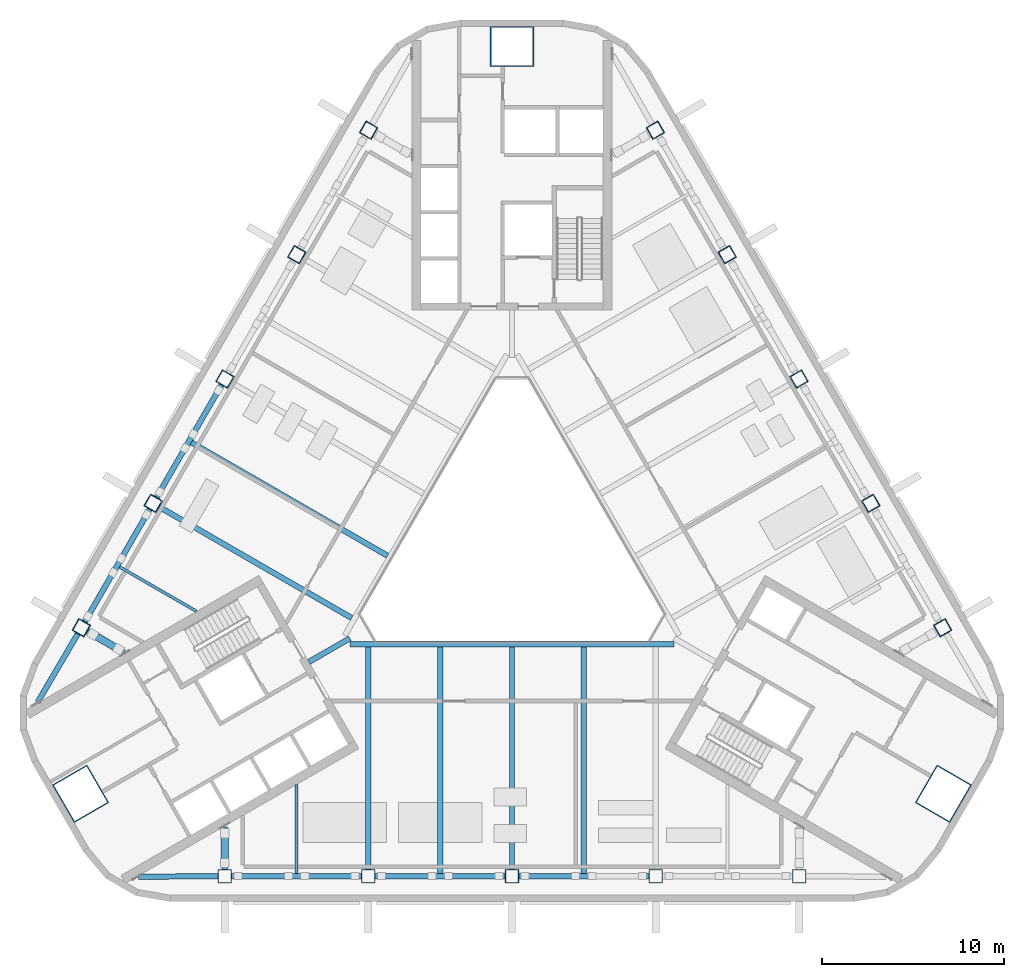
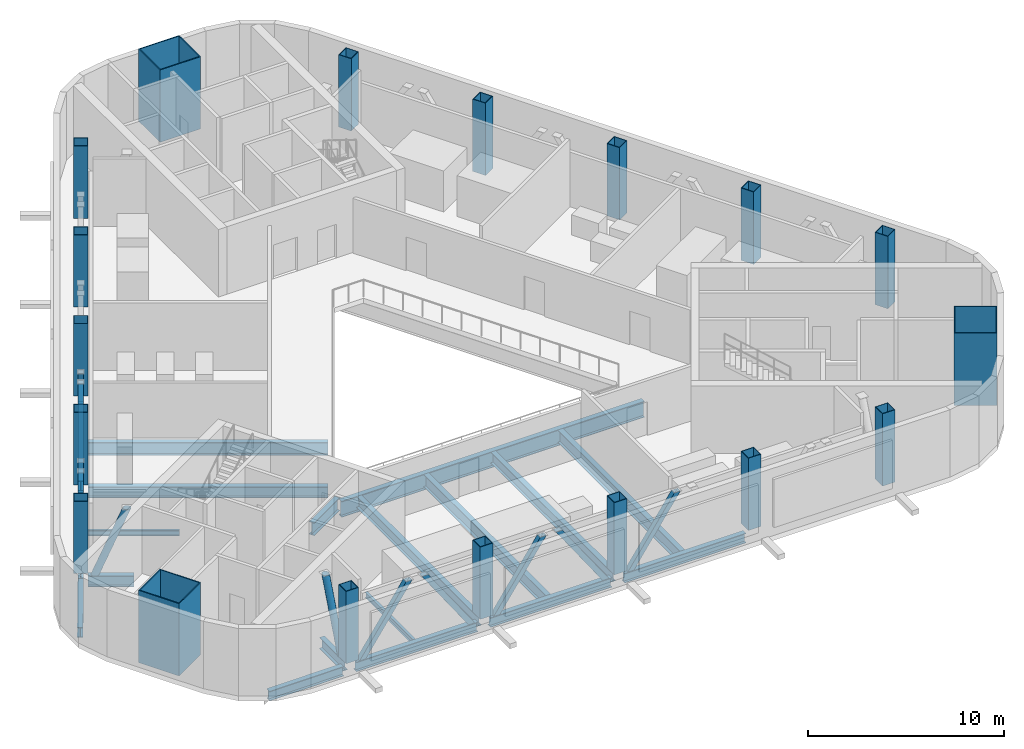
# One storey, part 1 of 15: 20 members, 18 columns, 10 beams.
"""IFC4 building model written with IfcOpenShell, lengths in metres."""

import ifcopenshell
import ifcopenshell.guid

model = None  # the IFC model being written
_history = None  # IfcOwnerHistory: only IFC2X3 demands one
_inside = {}  # id of a spatial element -> (the spatial element, [elements in it])
_under = {}  # id of a project, library or spatial element -> (it, [spatial elements below it])
_declared = {}  # id of a project -> (the project, [libraries it declares])
_typed = {}  # id of a type object -> (the type object, [elements of that type])
_made_of = {}  # id of a material, layer set ... -> (it, [elements and type objects made of it])


def new_model(schema):
    """Start an empty IFC model of exactly this schema.

    Asked for "IFC4X3", IfcOpenShell would pick the latest addendum, in which some entities
    have other attributes; the version numbers below select the first issue.
    IFC2X3 requires an IfcOwnerHistory on every rooted entity: one is made here for all.
    """
    global model, _history
    if schema == "IFC4X3":
        model = ifcopenshell.file(schema_version=(4, 3, 0, 0))
    else:
        model = ifcopenshell.file(schema=schema)
    _inside.clear()
    _under.clear()
    _declared.clear()
    _typed.clear()
    _made_of.clear()
    _history = None
    if model.schema == "IFC2X3":
        org = make("IfcOrganization", Name="unknown")
        user = make(
            "IfcPersonAndOrganization",
            ThePerson=make("IfcPerson", FamilyName="unknown"),
            TheOrganization=org,
        )
        app = make(
            "IfcApplication",
            ApplicationDeveloper=org,
            Version="unknown",
            ApplicationFullName="unknown",
            ApplicationIdentifier="unknown",
        )
        _history = make(
            "IfcOwnerHistory",
            OwningUser=user,
            OwningApplication=app,
            ChangeAction="ADDED",
            CreationDate=0,
        )
    return model


def make(cls, **values):
    """One entity of the class cls with the attributes given. An attribute that is None is left unset."""
    return model.create_entity(
        cls, **{name: value for name, value in values.items() if value is not None}
    )


def rooted(cls, **values):
    """An entity with a GlobalId (a new one), such as an element, a storey or a relation."""
    return make(cls, GlobalId=ifcopenshell.guid.new(), OwnerHistory=_history, **values)


def si_unit(unit_type, name, prefix=None):
    """IfcSIUnit, for example si_unit("LENGTHUNIT", "METRE", prefix="MILLI")."""
    return make("IfcSIUnit", UnitType=unit_type, Prefix=prefix, Name=name)


def assignment(units):
    """IfcUnitAssignment: the units of a project."""
    return None if units is None else make("IfcUnitAssignment", Units=units)


def point(xyz):
    """IfcCartesianPoint."""
    return None if xyz is None else make("IfcCartesianPoint", Coordinates=xyz)


def direction(xyz):
    """IfcDirection."""
    return None if xyz is None else make("IfcDirection", DirectionRatios=xyz)


def frame(location, z_axis=None, x_axis=None):
    """IfcAxis2Placement3D, a coordinate frame: its origin and axes. An axis left out is left unset."""
    return make(
        "IfcAxis2Placement3D",
        Location=point(location),
        Axis=direction(z_axis),
        RefDirection=direction(x_axis),
    )


def frame_2d(location, x_axis=None):
    """IfcAxis2Placement2D, a coordinate frame in the plane: its origin and x axis."""
    return make(
        "IfcAxis2Placement2D", Location=point(location), RefDirection=direction(x_axis)
    )


def origin():
    """The frame at (0, 0, 0) with its axes left unset."""
    return frame((0.0, 0.0, 0.0))


def origin_2d():
    """The frame at (0, 0) in the plane with its x axis left unset."""
    return frame_2d((0.0, 0.0))


def place(relative_to, where):
    """IfcLocalPlacement: puts the frame where relative to a parent placement (None: the world)."""
    return make(
        "IfcLocalPlacement", PlacementRelTo=relative_to, RelativePlacement=where
    )


def context(
    kind, dimensions, precision=None, world=None, true_north=None, identifier=None
):
    """IfcGeometricRepresentationContext, for example the 3D "Model" context."""
    return make(
        "IfcGeometricRepresentationContext",
        ContextIdentifier=identifier,
        ContextType=kind,
        CoordinateSpaceDimension=dimensions,
        Precision=precision,
        WorldCoordinateSystem=world,
        TrueNorth=true_north,
    )


def subcontext(parent, identifier, kind, view, scale=None):
    """IfcGeometricRepresentationSubContext, for example "Body" below "Model"."""
    return make(
        "IfcGeometricRepresentationSubContext",
        ContextIdentifier=identifier,
        ContextType=kind,
        ParentContext=parent,
        TargetScale=scale,
        TargetView=view,
    )


def project(units=None, contexts=None):
    """IfcProject with its units and contexts."""
    return rooted(
        "IfcProject",
        Name="project",
        RepresentationContexts=contexts,
        UnitsInContext=assignment(units),
    )


def spatial(cls, under=None, at=None, **own):
    """A site, building, storey or space (cls), placed at a placement, below another one or the project."""
    s = rooted(cls, ObjectPlacement=at, **own)
    if under is not None:
        _under.setdefault(under.id(), (under, []))[1].append(s)
    return s


def profile(cls, at=None, kind="AREA", **sizes):
    """A parametric profile (cls). Its sizes go by their IFC names, for example OverallWidth=200.0."""
    return make(cls, ProfileType=kind, Position=at, **sizes)


def rectangle(**sizes):
    """IfcRectangleProfileDef."""
    return profile("IfcRectangleProfileDef", **sizes)


def hollow_rectangle(**sizes):
    """IfcRectangleHollowProfileDef."""
    return profile("IfcRectangleHollowProfileDef", **sizes)


def hollow_circle(**sizes):
    """IfcCircleHollowProfileDef."""
    return profile("IfcCircleHollowProfileDef", **sizes)


def i_section(**sizes):
    """IfcIShapeProfileDef."""
    return profile("IfcIShapeProfileDef", **sizes)


def extrude(swept, where, along, depth):
    """IfcExtrudedAreaSolid: the profile swept, set in the frame where, extruded along a direction by depth."""
    return make(
        "IfcExtrudedAreaSolid",
        SweptArea=swept,
        Position=where,
        ExtrudedDirection=direction(along),
        Depth=depth,
    )


def boolean(op, a, b):
    """IfcBooleanResult of two solids."""
    return make("IfcBooleanResult", Operator=op, FirstOperand=a, SecondOperand=b)


def halfspace(plane, agree):
    """IfcHalfSpaceSolid: all space on one side of the plane z = 0 of the frame plane."""
    return make(
        "IfcHalfSpaceSolid",
        BaseSurface=make("IfcPlane", Position=plane),
        AgreementFlag=agree,
    )


def shape(context_of_items, identifier, shape_type, items):
    """IfcShapeRepresentation: the items that make up one representation, for example the "Body"."""
    return make(
        "IfcShapeRepresentation",
        ContextOfItems=context_of_items,
        RepresentationIdentifier=identifier,
        RepresentationType=shape_type,
        Items=items,
    )


def material(Name=None, Category=None):
    """IfcMaterial."""
    return make("IfcMaterial", Name=Name, Category=Category)


def material_profile(
    of_material, cross_section, Name=None, Category=None, Priority=None
):
    """IfcMaterialProfile: a cross section and its material."""
    return make(
        "IfcMaterialProfile",
        Name=Name,
        Material=of_material,
        Profile=cross_section,
        Priority=Priority,
        Category=Category,
    )


def profile_set(profiles, Name=None, composite=None):
    """IfcMaterialProfileSet."""
    return make(
        "IfcMaterialProfileSet",
        Name=Name,
        MaterialProfiles=profiles,
        CompositeProfile=composite,
    )


def made_of(thing, what):
    """Note that an element or type object is made of a material, layer set ...; save() writes the relation."""
    if what is not None:
        _made_of.setdefault(what.id(), (what, []))[1].append(thing)
    return thing


def type_object(cls, material=None, **own):
    """A type object (cls), such as IfcWallType, which elements share."""
    return made_of(rooted(cls, **own), material)


def element(
    cls,
    number,
    at=None,
    inside=None,
    cuts=None,
    type_object=None,
    material=None,
    context=None,
    identifier="Body",
    shape_type=None,
    held_by="IfcProductDefinitionShape",
    body=None,
    shapes=None,
    **own,
):
    """One element of the class cls, such as IfcWall. Its Tag is "e" and its number.

    at: its placement. inside: the storey or other place that contains it. cuts: it is an
    opening in that element (IfcRelVoidsElement). A single representation is given by context,
    identifier, shape_type and body (its items); several are given by shapes. held_by: the class
    of the entity that holds the representations. save() writes the other relations.
    """
    e = rooted(cls, Tag="e%d" % number, ObjectPlacement=at, **own)
    if body is not None:
        shapes = [shape(context, identifier, shape_type, body)]
    if shapes is not None:
        e.Representation = make(held_by, Representations=shapes)
    if inside is not None:
        _inside.setdefault(inside.id(), (inside, []))[1].append(e)
    if cuts is not None:
        rooted(
            "IfcRelVoidsElement", RelatingBuildingElement=cuts, RelatedOpeningElement=e
        )
    if type_object is not None:
        _typed.setdefault(type_object.id(), (type_object, []))[1].append(e)
    return made_of(e, material)


def aggregate(whole, parts):
    """IfcRelAggregates: a whole, such as a stair, and the parts it consists of."""
    return rooted("IfcRelAggregates", RelatingObject=whole, RelatedObjects=parts)


def save(model, path):
    """Write the relations noted so far, then the file.

    IfcRelAggregates (storeys below a building ...), IfcRelContainedInSpatialStructure (elements
    in a storey), IfcRelDefinesByType, IfcRelAssociatesMaterial and IfcRelDeclares: one each for
    every whole, place, type object, material and project.
    """
    for whole, parts in _under.values():
        aggregate(whole, parts)
    for where, things in _inside.values():
        rooted(
            "IfcRelContainedInSpatialStructure",
            RelatedElements=things,
            RelatingStructure=where,
        )
    for kind, things in _typed.values():
        rooted("IfcRelDefinesByType", RelatedObjects=things, RelatingType=kind)
    for what, things in _made_of.values():
        rooted("IfcRelAssociatesMaterial", RelatedObjects=things, RelatingMaterial=what)
    for by, libraries in _declared.values():
        rooted("IfcRelDeclares", RelatingContext=by, RelatedDefinitions=libraries)
    model.write(path)


model = new_model("IFC4")

# Units and contexts
model_context = context("Model", 3, precision=1e-05, world=origin(), true_north=direction((0.0, 1.0)))
body_context = subcontext(model_context, "Body", "Model", "MODEL_VIEW")
ifc_project = project(units=[si_unit("LENGTHUNIT", "METRE"), si_unit("AREAUNIT", "SQUARE_METRE"), si_unit("VOLUMEUNIT", "CUBIC_METRE"), si_unit("PLANEANGLEUNIT", "RADIAN"), si_unit("MASSUNIT", "GRAM", prefix="KILO")], contexts=[model_context])

# Site, building, storey
site_placement = place(None, origin())
site = spatial("IfcSite", under=ifc_project, at=site_placement, CompositionType="ELEMENT")
building_placement = place(site_placement, origin())
building = spatial("IfcBuilding", under=site, at=building_placement, Name="Apuvela Tower Hotel", CompositionType="ELEMENT")
storey_placement = place(building_placement, frame((0.0, 0.0, 237.699951171875)))
storey = spatial("IfcBuildingStorey", under=building, at=storey_placement, Name="L58 Plant", CompositionType="ELEMENT", Elevation=237.699951171875)

# Columns
ifc_material_1 = material(Name="Steel S460", Category="steel")
ifc_material_profile_1 = material_profile(ifc_material_1, hollow_rectangle(XDim=2.39990234375, YDim=2.199951171875, WallThickness=0.06005859375, at=origin_2d()), Name="BOX 2400x2200x60")
ifc_material_2 = material(Name="Concrete C80/95", Category="concrete")
ifc_material_profile_2 = material_profile(ifc_material_2, rectangle(XDim=2.280029296875, YDim=2.080078125, at=origin_2d()), Name="Concrete C80/95 infill")
ifc_profile_set_1 = profile_set([ifc_material_profile_1, ifc_material_profile_2], Name="Steel S460")
column_type_1 = type_object("IfcColumnType", Name="STR-MC mega column BOX 2400x2200x60", PredefinedType="COLUMN", material=ifc_profile_set_1)
for number, where, z_axis, x_axis, name in (
    (1, (0.0, 27.39990234375, 0.0), (0.0, 0.0, 1.0), (1.0, 0.0, 0.0), "Mega column MC3 N"),
    (2, (-23.72900390625, -13.699951171875, 0.0), (0.0, 0.0, 1.0), (-0.5, 0.866025403784, 0.0), "Mega column MC3 SW"),
    (3, (23.72900390625, -13.699951171875, 0.0), (0.0, 0.0, 1.0), (0.5, 0.866025403784, 0.0), "Mega column MC3 SE"),
):
    element("IfcColumn", number, at=place(storey_placement, frame(where, z_axis=z_axis, x_axis=x_axis)), inside=storey, type_object=column_type_1, Name=name, PredefinedType="COLUMN", context=body_context, shape_type="SweptSolid", body=[
        extrude(hollow_rectangle(XDim=2.39990234375, YDim=2.199951171875, WallThickness=0.06005859375, at=origin_2d()), origin(), (0.0, 0.0, 1.0), 4.5),
    ])
ifc_material_profile_3 = material_profile(ifc_material_1, hollow_rectangle(XDim=0.75, YDim=0.75, WallThickness=0.034912109375, at=origin_2d()), Name="BOX 750x750x35")
ifc_material_profile_4 = material_profile(ifc_material_2, rectangle(XDim=0.679931640625, YDim=0.679931640625, at=origin_2d()), Name="Concrete C80/95 infill")
ifc_profile_set_2 = profile_set([ifc_material_profile_3, ifc_material_profile_4], Name="Steel S460")
column_type_2 = type_object("IfcColumnType", Name="STR-PC perimeter column BOX 750x750x35", PredefinedType="COLUMN", material=ifc_profile_set_2)
for number, where, z_axis, x_axis, name in (
    (4, (-15.800048828125, -18.22998046875, 0.0), (0.0, 0.0, 1.0), (-1.0, 0.0, 0.0), "Perimeter column C5 S1"),
    (5, (-7.89990234375, -18.22998046875, 0.0), (0.0, 0.0, 1.0), (-1.0, 0.0, 0.0), "Perimeter column C5 S2"),
    (6, (0.0, -18.22998046875, 0.0), (0.0, 0.0, 1.0), (-1.0, 0.0, 0.0), "Perimeter column C5 S3"),
    (7, (7.89990234375, -18.22998046875, 0.0), (0.0, 0.0, 1.0), (-1.0, 0.0, 0.0), "Perimeter column C5 S4"),
    (8, (15.800048828125, -18.22998046875, 0.0), (0.0, 0.0, 1.0), (-1.0, 0.0, 0.0), "Perimeter column C5 S5"),
    (9, (23.6875, -4.568115234375, 0.0), (0.0, 0.0, 1.0), (-0.5, 0.866025403784, 0.0), "Perimeter column C5 NE1"),
    (10, (19.737548828125, 2.2734375, 0.0), (0.0, 0.0, 1.0), (-0.5, 0.866025403784, 0.0), "Perimeter column C5 NE2"),
    (11, (15.78759765625, 9.114990234375, 0.0), (0.0, 0.0, 1.0), (-0.5, 0.866025403784, 0.0), "Perimeter column C5 NE3"),
    (12, (11.837646484375, 15.95654296875, 0.0), (0.0, 0.0, 1.0), (-0.5, 0.866025403784, 0.0), "Perimeter column C5 NE4"),
    (13, (7.8876953125, 22.798095703125, 0.0), (0.0, 0.0, 1.0), (-0.5, 0.866025403784, 0.0), "Perimeter column C5 NE5"),
    (14, (-7.8876953125, 22.798095703125, 0.0), (0.0, 0.0, 1.0), (0.5, 0.866025403784, 0.0), "Perimeter column C5 NW1"),
    (15, (-11.837646484375, 15.95654296875, 0.0), (0.0, 0.0, 1.0), (0.5, 0.866025403784, 0.0), "Perimeter column C5 NW2"),
    (16, (-15.78759765625, 9.114990234375, 0.0), (0.0, 0.0, 1.0), (0.5, 0.866025403784, 0.0), "Perimeter column C5 NW3"),
    (17, (-19.737548828125, 2.2734375, 0.0), (0.0, 0.0, 1.0), (0.5, 0.866025403784, 0.0), "Perimeter column C5 NW4"),
    (18, (-23.6875, -4.568115234375, 0.0), (0.0, 0.0, 1.0), (0.5, 0.866025403784, 0.0), "Perimeter column C5 NW5"),
):
    element("IfcColumn", number, at=place(storey_placement, frame(where, z_axis=z_axis, x_axis=x_axis)), inside=storey, type_object=column_type_2, Name=name, PredefinedType="COLUMN", context=body_context, shape_type="SweptSolid", body=[
        extrude(hollow_rectangle(XDim=0.75, YDim=0.75, WallThickness=0.034912109375, at=origin_2d()), origin(), (0.0, 0.0, 1.0), 4.5),
    ])

# Beams
ifc_material_3 = material(Name="Steel S355", Category="steel")
ifc_material_profile_5 = material_profile(ifc_material_3, i_section(OverallWidth=0.300048828125, OverallDepth=0.68994140625, WebThickness=0.014404296875, FlangeThickness=0.027099609375, at=origin_2d()), Name="HE 700 A")
ifc_profile_set_3 = profile_set([ifc_material_profile_5], Name="Steel S355")
beam_type_1 = type_object("IfcBeamType", Name="STR-B floor beam HE 700 A", PredefinedType="BEAM", material=ifc_profile_set_3)
for number, where, z_axis, x_axis, name in (
    (19, (-19.412841796875, 2.0859375, -0.64501953125), (0.866025418325, -0.499999974815, 0.0), (0.499999974815, 0.866025418325, 0.0), "Floor beam B6 NW7"),
    (20, (-7.89990234375, -17.85498046875, -0.64501953125), (0.0, 1.0, 0.0), (-1.0, 0.0, 0.0), "Floor beam B6 S3"),
    (21, (0.0, -17.85498046875, -0.64501953125), (0.0, 1.0, 0.0), (-1.0, 0.0, 0.0), "Floor beam B6 S5"),
):
    element("IfcBeam", number, at=place(storey_placement, frame(where, z_axis=z_axis, x_axis=x_axis)), inside=storey, type_object=beam_type_1, Name=name, PredefinedType="BEAM", context=body_context, shape_type="SweptSolid", body=[
        extrude(i_section(OverallWidth=0.300048828125, OverallDepth=0.68994140625, WebThickness=0.014404296875, FlangeThickness=0.027099609375, at=origin_2d()), origin(), (0.0, 0.0, 1.0), 12.23486328125),
    ])
ifc_material_profile_6 = material_profile(ifc_material_3, i_section(OverallWidth=0.300048828125, OverallDepth=0.7900390625, WebThickness=0.014892578125, FlangeThickness=0.028076171875, at=origin_2d()), Name="HE 800 A")
ifc_profile_set_4 = profile_set([ifc_material_profile_6], Name="Steel S355")
beam_type_2 = type_object("IfcBeamType", Name="STR-B floor beam HE 800 A", PredefinedType="BEAM", material=ifc_profile_set_4)
for number, where, z_axis, x_axis, name in (
    (22, (-17.6328125, 5.619140625, -0.695068359375), (0.866027987673, -0.499995524547, 0.0), (0.499995524547, 0.866027987673, 0.0), "Floor beam B5 NW6"),
    (23, (-3.949951171875, -18.080078125, -0.695068359375), (0.0, 1.0, 0.0), (-1.0, 0.0, 0.0), "Floor beam B5 S4"),
    (24, (3.949951171875, -18.080078125, -0.695068359375), (0.0, 1.0, 0.0), (-1.0, 0.0, 0.0), "Floor beam B5 S6"),
):
    element("IfcBeam", number, at=place(storey_placement, frame(where, z_axis=z_axis, x_axis=x_axis)), inside=storey, type_object=beam_type_2, Name=name, PredefinedType="BEAM", context=body_context, shape_type="SweptSolid", body=[
        extrude(i_section(OverallWidth=0.300048828125, OverallDepth=0.7900390625, WebThickness=0.014892578125, FlangeThickness=0.028076171875, at=origin_2d()), origin(), (0.0, 0.0, 1.0), 12.4599609375),
    ])
ifc_material_profile_7 = material_profile(ifc_material_3, i_section(OverallWidth=0.159912109375, OverallDepth=0.330078125, WebThickness=0.007568359375, FlangeThickness=0.011474609375, at=origin_2d()), Name="IPE 330")
ifc_profile_set_5 = profile_set([ifc_material_profile_7], Name="Steel S355")
beam_type_3 = type_object("IfcBeamType", Name="STR-B floor beam IPE 330", PredefinedType="BEAM", material=ifc_profile_set_5)
beam_1_placement = place(storey_placement, frame((-21.582763671875, -1.222412109375, -0.46484375), z_axis=(0.866015056278, -0.500017921979, 0.0), x_axis=(0.500017921979, 0.866015056278, 0.0)))
element("IfcBeam", 25, at=beam_1_placement, inside=storey, type_object=beam_type_3, Name="Floor beam B1 NW8", PredefinedType="BEAM", context=body_context, shape_type="SweptSolid", body=[
    extrude(i_section(OverallWidth=0.159912109375, OverallDepth=0.330078125, WebThickness=0.007568359375, FlangeThickness=0.011474609375, at=origin_2d()), origin(), (0.0, 0.0, 1.0), 4.887451171875),
])
beam_2_placement = place(storey_placement, frame((-11.85009765625, -18.080078125, -0.46484375), z_axis=(0.0, 1.0, 0.0), x_axis=(-1.0, 0.0, 0.0)))
element("IfcBeam", 26, at=beam_2_placement, inside=storey, type_object=beam_type_3, Name="Floor beam B1 S2", PredefinedType="BEAM", context=body_context, shape_type="SweptSolid", body=[
    extrude(i_section(OverallWidth=0.159912109375, OverallDepth=0.330078125, WebThickness=0.007568359375, FlangeThickness=0.011474609375, at=origin_2d()), origin(), (0.0, 0.0, 1.0), 4.8876953125),
])
ifc_material_profile_8 = material_profile(ifc_material_3, i_section(OverallWidth=0.300048828125, OverallDepth=1.0, WebThickness=0.01904296875, FlangeThickness=0.035888671875, at=origin_2d()), Name="HE 1000 B")
ifc_profile_set_6 = profile_set([ifc_material_profile_8], Name="Steel S355")
beam_type_4 = type_object("IfcBeamType", Name="STR-G atrium ring girder HE 1000 B", PredefinedType="BEAM", material=ifc_profile_set_6)
beam_3_placement = place(storey_placement, frame((-8.91455078125, -5.469970703125, -0.800048828125), z_axis=(1.0, 0.0, 0.0), x_axis=(0.0, 1.0, 0.0)))
element("IfcBeam", 27, at=beam_3_placement, inside=storey, type_object=beam_type_4, Name="Atrium ring girder G2 SW-SE", PredefinedType="BEAM", context=body_context, shape_type="SweptSolid", body=[
    extrude(i_section(OverallWidth=0.300048828125, OverallDepth=1.0, WebThickness=0.01904296875, FlangeThickness=0.035888671875, at=origin_2d()), origin(), (0.0, 0.0, 1.0), 17.8291015625),
])
ifc_material_profile_9 = material_profile(ifc_material_3, i_section(OverallWidth=0.300048828125, OverallDepth=0.800048828125, WebThickness=0.017578125, FlangeThickness=0.032958984375, at=origin_2d()), Name="HE 800 B")
ifc_profile_set_7 = profile_set([ifc_material_profile_9], Name="Steel S355")
beam_type_5 = type_object("IfcBeamType", Name="STR-GT core tie beam HE 800 B", PredefinedType="BEAM", material=ifc_profile_set_7)
beam_4_placement = place(storey_placement, frame((-11.171630859375, -6.449951171875, -0.699951171875), z_axis=(0.865997922154, 0.500047596559, 0.0), x_axis=(-0.500047596559, 0.865997922154, 0.0)))
element("IfcBeam", 28, at=beam_4_placement, inside=storey, type_object=beam_type_5, Name="Core tie beam GT1 SW", PredefinedType="BEAM", context=body_context, shape_type="SweptSolid", body=[
    extrude(i_section(OverallWidth=0.300048828125, OverallDepth=0.800048828125, WebThickness=0.017578125, FlangeThickness=0.032958984375, at=origin_2d()), origin(), (0.0, 0.0, 1.0), 2.599853515625),
])

# Members
ifc_material_profile_10 = material_profile(ifc_material_3, i_section(OverallWidth=0.300048828125, OverallDepth=0.60009765625, WebThickness=0.015380859375, FlangeThickness=0.030029296875, at=origin_2d()), Name="HE 600 B")
ifc_profile_set_8 = profile_set([ifc_material_profile_10], Name="Steel S355")
member_type_1 = type_object("IfcMemberType", Name="STR-T2 belt truss chord HE 600 B", PredefinedType="CHORD", material=ifc_profile_set_8)
member_1_placement = place(storey_placement, frame((-15.425048828125, -18.22998046875, -0.599853515625), z_axis=(1.0, 0.0, 0.0), x_axis=(0.0, 1.0, 0.0)))
element("IfcMember", 29, at=member_1_placement, inside=storey, type_object=member_type_1, Name="Belt chord BT3 S1", PredefinedType="CHORD", context=body_context, shape_type="SweptSolid", body=[
    extrude(i_section(OverallWidth=0.300048828125, OverallDepth=0.60009765625, WebThickness=0.015380859375, FlangeThickness=0.030029296875, at=origin_2d()), origin(), (0.0, 0.0, 1.0), 7.150146484375),
])
for number, where, z_axis, x_axis, name in (
    (30, (-7.52490234375, -18.22998046875, -0.599853515625), (1.0, 0.0, 0.0), (0.0, 1.0, 0.0), "Belt chord BT3 S2"),
    (31, (0.375, -18.22998046875, -0.599853515625), (1.0, 0.0, 0.0), (0.0, 1.0, 0.0), "Belt chord BT3 S3"),
):
    element("IfcMember", number, at=place(storey_placement, frame(where, z_axis=z_axis, x_axis=x_axis)), inside=storey, type_object=member_type_1, Name=name, PredefinedType="CHORD", context=body_context, shape_type="SweptSolid", body=[
        extrude(i_section(OverallWidth=0.300048828125, OverallDepth=0.60009765625, WebThickness=0.015380859375, FlangeThickness=0.030029296875, at=origin_2d()), origin(), (0.0, 0.0, 1.0), 7.14990234375),
    ])
member_2_placement = place(storey_placement, frame((-15.97509765625, 8.790283203125, -0.599853515625), z_axis=(-0.499991424076, -0.86603035504, 0.0), x_axis=(0.86603035504, -0.499991424076, 0.0)))
element("IfcMember", 32, at=member_2_placement, inside=storey, type_object=member_type_1, Name="Belt chord BT3 NW3", PredefinedType="CHORD", context=body_context, shape_type="SweptSolid", body=[
    extrude(i_section(OverallWidth=0.300048828125, OverallDepth=0.60009765625, WebThickness=0.015380859375, FlangeThickness=0.030029296875, at=origin_2d()), origin(), (0.0, 0.0, 1.0), 7.150146484375),
])
member_3_placement = place(storey_placement, frame((-19.925048828125, 1.948486328125, -0.599853515625), z_axis=(-0.500006209673, -0.866021818598, 0.0), x_axis=(0.866021818598, -0.500006209673, 0.0)))
element("IfcMember", 33, at=member_3_placement, inside=storey, type_object=member_type_1, Name="Belt chord BT3 NW4", PredefinedType="CHORD", context=body_context, shape_type="SweptSolid", body=[
    extrude(i_section(OverallWidth=0.300048828125, OverallDepth=0.60009765625, WebThickness=0.015380859375, FlangeThickness=0.030029296875, at=origin_2d()), origin(), (0.0, 0.0, 1.0), 7.14990234375),
])
member_4_placement = place(storey_placement, frame((-16.175048828125, -18.232666015625, -0.599853515625), z_axis=(-0.999976463079, -0.006860997655, 0.0), x_axis=(0.006860997655, -0.999976463079, 0.0)))
element("IfcMember", 34, at=member_4_placement, inside=storey, type_object=member_type_1, Name="Belt chord BT3 S1-SW", PredefinedType="CHORD", context=body_context, shape_type="SweptSolid", body=[
    extrude(i_section(OverallWidth=0.300048828125, OverallDepth=0.60009765625, WebThickness=0.015380859375, FlangeThickness=0.030029296875, at=origin_2d()), origin(), (0.0, 0.0, 1.0), 4.376708984375),
])
member_5_placement = place(storey_placement, frame((-23.87744140625, -4.8916015625, -0.599853515625), z_axis=(-0.505922761076, -0.862578784706, 0.0), x_axis=(0.862578784706, -0.505922761076, 0.0)))
element("IfcMember", 35, at=member_5_placement, inside=storey, type_object=member_type_1, Name="Belt chord BT3 NW5-SW", PredefinedType="CHORD", context=body_context, shape_type="SweptSolid", body=[
    extrude(i_section(OverallWidth=0.300048828125, OverallDepth=0.60009765625, WebThickness=0.015380859375, FlangeThickness=0.030029296875, at=origin_2d()), origin(), (0.0, 0.0, 1.0), 4.376953125),
])
ifc_material_profile_11 = material_profile(ifc_material_3, hollow_rectangle(XDim=0.300048828125, YDim=0.300048828125, WallThickness=0.012451171875, at=origin_2d()), Name="SHS 300x300x12.5")
ifc_profile_set_9 = profile_set([ifc_material_profile_11], Name="Steel S355")
member_type_2 = type_object("IfcMemberType", Name="STR-T2 belt truss diagonal SHS 300x300x12.5", PredefinedType="BRACE", material=ifc_profile_set_9)
member_6_placement = place(storey_placement, frame((-15.074951171875, -18.22998046875, -0.300048828125), z_axis=(0.569035540557, 0.0, 0.822312929232), x_axis=(-0.822312929232, 0.0, 0.569035540557)))
solid_1 = boolean("DIFFERENCE", boolean("DIFFERENCE", extrude(hollow_rectangle(XDim=0.300048828125, YDim=0.300048828125, WallThickness=0.012451171875, at=origin_2d()), frame((0.0, 0.0, -0.223876953125)), (0.0, 0.0, 1.0), 5.32421875), halfspace(frame((0.0, 0.0, 0.0244140625), z_axis=(0.569035540557, 0.0, 0.822312929232), x_axis=(0.822312929232, 0.0, -0.569035540557)), True)), halfspace(frame((0.0, 0.0, 4.852294921875), z_axis=(0.569035540557, 0.0, 0.822312929232), x_axis=(0.822312929232, 0.0, -0.569035540557)), False))
element("IfcMember", 36, at=member_6_placement, inside=storey, type_object=member_type_2, Name="Belt truss diagonal BR3 S1", PredefinedType="BRACE", context=body_context, shape_type="SweptSolid", body=[
    boolean("UNION", boolean("DIFFERENCE", boolean("DIFFERENCE", extrude(hollow_rectangle(XDim=0.300048828125, YDim=0.300048828125, WallThickness=0.012451171875, at=origin_2d()), origin(), (0.0, 0.0, 1.0), 4.87646484375), halfspace(frame((0.0, 0.0, 0.0244140625), z_axis=(0.569035540557, 0.0, 0.822312929232), x_axis=(0.822312929232, 0.0, -0.569035540557)), True)), halfspace(frame((0.0, 0.0, 4.852294921875), z_axis=(0.569035540557, 0.0, 0.822312929232), x_axis=(0.822312929232, 0.0, -0.569035540557)), False)), solid_1),
])
member_7_placement = place(storey_placement, frame((-8.625, -18.22998046875, -0.300048828125), z_axis=(-0.569035540557, 0.0, 0.822312929232), x_axis=(0.822312929232, 0.0, 0.569035540557)))
solid_2 = boolean("DIFFERENCE", boolean("DIFFERENCE", extrude(hollow_rectangle(XDim=0.300048828125, YDim=0.300048828125, WallThickness=0.012451171875, at=origin_2d()), frame((0.0, 0.0, -0.223876953125)), (0.0, 0.0, 1.0), 5.32421875), halfspace(frame((0.0, 0.0, 0.0244140625), z_axis=(0.569035540557, 0.0, 0.822312929232), x_axis=(0.822312929232, 0.0, -0.569035540557)), True)), halfspace(frame((0.0, 0.0, 4.852294921875), z_axis=(0.569035540557, 0.0, 0.822312929232), x_axis=(0.822312929232, 0.0, -0.569035540557)), False))
element("IfcMember", 37, at=member_7_placement, inside=storey, type_object=member_type_2, Name="Belt truss diagonal BR3 S1", PredefinedType="BRACE", context=body_context, shape_type="SweptSolid", body=[
    boolean("UNION", boolean("DIFFERENCE", boolean("DIFFERENCE", extrude(hollow_rectangle(XDim=0.300048828125, YDim=0.300048828125, WallThickness=0.012451171875, at=origin_2d()), origin(), (0.0, 0.0, 1.0), 4.87646484375), halfspace(frame((0.0, 0.0, 0.0244140625), z_axis=(0.569035540557, 0.0, 0.822312929232), x_axis=(0.822312929232, 0.0, -0.569035540557)), True)), halfspace(frame((0.0, 0.0, 4.852294921875), z_axis=(0.569035540557, 0.0, 0.822312929232), x_axis=(0.822312929232, 0.0, -0.569035540557)), False)), solid_2),
])
member_8_placement = place(storey_placement, frame((-7.175048828125, -18.22998046875, -0.300048828125), z_axis=(0.569069392798, 0.0, 0.822289502657), x_axis=(-0.822289502657, 0.0, 0.569069392798)))
solid_3 = boolean("DIFFERENCE", boolean("DIFFERENCE", extrude(hollow_rectangle(XDim=0.300048828125, YDim=0.300048828125, WallThickness=0.012451171875, at=origin_2d()), frame((0.0, 0.0, -0.223876953125)), (0.0, 0.0, 1.0), 5.32421875), halfspace(frame((0.0, 0.0, 0.0244140625), z_axis=(0.569069392798, 0.0, 0.822289502657), x_axis=(0.822289502657, 0.0, -0.569069392798)), True)), halfspace(frame((0.0, 0.0, 4.8525390625), z_axis=(0.569069392798, 0.0, 0.822289502657), x_axis=(0.822289502657, 0.0, -0.569069392798)), False))
element("IfcMember", 38, at=member_8_placement, inside=storey, type_object=member_type_2, Name="Belt truss diagonal BR3 S2", PredefinedType="BRACE", context=body_context, shape_type="SweptSolid", body=[
    boolean("UNION", boolean("DIFFERENCE", boolean("DIFFERENCE", extrude(hollow_rectangle(XDim=0.300048828125, YDim=0.300048828125, WallThickness=0.012451171875, at=origin_2d()), origin(), (0.0, 0.0, 1.0), 4.876708984375), halfspace(frame((0.0, 0.0, 0.0244140625), z_axis=(0.569069392798, 0.0, 0.822289502657), x_axis=(0.822289502657, 0.0, -0.569069392798)), True)), halfspace(frame((0.0, 0.0, 4.8525390625), z_axis=(0.569069392798, 0.0, 0.822289502657), x_axis=(0.822289502657, 0.0, -0.569069392798)), False)), solid_3),
])
member_9_placement = place(storey_placement, frame((-0.72509765625, -18.22998046875, -0.300048828125), z_axis=(-0.569035540557, 0.0, 0.822312929232), x_axis=(0.822312929232, 0.0, 0.569035540557)))
solid_4 = boolean("DIFFERENCE", boolean("DIFFERENCE", extrude(hollow_rectangle(XDim=0.300048828125, YDim=0.300048828125, WallThickness=0.012451171875, at=origin_2d()), frame((0.0, 0.0, -0.223876953125)), (0.0, 0.0, 1.0), 5.32421875), halfspace(frame((0.0, 0.0, 0.0244140625), z_axis=(0.569035540557, 0.0, 0.822312929232), x_axis=(0.822312929232, 0.0, -0.569035540557)), True)), halfspace(frame((0.0, 0.0, 4.852294921875), z_axis=(0.569035540557, 0.0, 0.822312929232), x_axis=(0.822312929232, 0.0, -0.569035540557)), False))
element("IfcMember", 39, at=member_9_placement, inside=storey, type_object=member_type_2, Name="Belt truss diagonal BR3 S2", PredefinedType="BRACE", context=body_context, shape_type="SweptSolid", body=[
    boolean("UNION", boolean("DIFFERENCE", boolean("DIFFERENCE", extrude(hollow_rectangle(XDim=0.300048828125, YDim=0.300048828125, WallThickness=0.012451171875, at=origin_2d()), origin(), (0.0, 0.0, 1.0), 4.87646484375), halfspace(frame((0.0, 0.0, 0.0244140625), z_axis=(0.569035540557, 0.0, 0.822312929232), x_axis=(0.822312929232, 0.0, -0.569035540557)), True)), halfspace(frame((0.0, 0.0, 4.852294921875), z_axis=(0.569035540557, 0.0, 0.822312929232), x_axis=(0.822312929232, 0.0, -0.569035540557)), False)), solid_4),
])
member_10_placement = place(storey_placement, frame((0.72509765625, -18.22998046875, -0.300048828125), z_axis=(0.569035540557, 0.0, 0.822312929232), x_axis=(-0.822312929232, 0.0, 0.569035540557)))
solid_5 = boolean("DIFFERENCE", boolean("DIFFERENCE", extrude(hollow_rectangle(XDim=0.300048828125, YDim=0.300048828125, WallThickness=0.012451171875, at=origin_2d()), frame((0.0, 0.0, -0.223876953125)), (0.0, 0.0, 1.0), 5.32421875), halfspace(frame((0.0, 0.0, 0.0244140625), z_axis=(0.569035540557, 0.0, 0.822312929232), x_axis=(0.822312929232, 0.0, -0.569035540557)), True)), halfspace(frame((0.0, 0.0, 4.852294921875), z_axis=(0.569035540557, 0.0, 0.822312929232), x_axis=(0.822312929232, 0.0, -0.569035540557)), False))
element("IfcMember", 40, at=member_10_placement, inside=storey, type_object=member_type_2, Name="Belt truss diagonal BR3 S3", PredefinedType="BRACE", context=body_context, shape_type="SweptSolid", body=[
    boolean("UNION", boolean("DIFFERENCE", boolean("DIFFERENCE", extrude(hollow_rectangle(XDim=0.300048828125, YDim=0.300048828125, WallThickness=0.012451171875, at=origin_2d()), origin(), (0.0, 0.0, 1.0), 4.87646484375), halfspace(frame((0.0, 0.0, 0.0244140625), z_axis=(0.569035540557, 0.0, 0.822312929232), x_axis=(0.822312929232, 0.0, -0.569035540557)), True)), halfspace(frame((0.0, 0.0, 4.852294921875), z_axis=(0.569035540557, 0.0, 0.822312929232), x_axis=(0.822312929232, 0.0, -0.569035540557)), False)), solid_5),
])
member_11_placement = place(storey_placement, frame((-16.150146484375, 8.487060546875, -0.300048828125), z_axis=(-0.284519488241, -0.492789956494, 0.822317894485), x_axis=(0.411166614559, 0.712143759828, 0.569028365207)))
solid_6 = boolean("DIFFERENCE", boolean("DIFFERENCE", extrude(hollow_rectangle(XDim=0.300048828125, YDim=0.300048828125, WallThickness=0.012451171875, at=origin_2d()), frame((0.0, 0.0, -0.223876953125)), (0.0, 0.0, 1.0), 5.323974609375), halfspace(frame((0.0, 0.0, 0.0244140625), z_axis=(0.569028365207, 0.0, 0.822317894485), x_axis=(0.822317894485, 0.0, -0.569028365207)), True)), halfspace(frame((0.0, 0.0, 4.852294921875), z_axis=(0.569028365207, 0.0, 0.822317894485), x_axis=(0.822317894485, 0.0, -0.569028365207)), False))
element("IfcMember", 41, at=member_11_placement, inside=storey, type_object=member_type_2, Name="Belt truss diagonal BR3 NW3", PredefinedType="BRACE", context=body_context, shape_type="SweptSolid", body=[
    boolean("UNION", boolean("DIFFERENCE", boolean("DIFFERENCE", extrude(hollow_rectangle(XDim=0.300048828125, YDim=0.300048828125, WallThickness=0.012451171875, at=origin_2d()), origin(), (0.0, 0.0, 1.0), 4.87646484375), halfspace(frame((0.0, 0.0, 0.0244140625), z_axis=(0.569028365207, 0.0, 0.822317894485), x_axis=(0.822317894485, 0.0, -0.569028365207)), True)), halfspace(frame((0.0, 0.0, 4.852294921875), z_axis=(0.569028365207, 0.0, 0.822317894485), x_axis=(0.822317894485, 0.0, -0.569028365207)), False)), solid_6),
])
member_12_placement = place(storey_placement, frame((-19.375, 2.9013671875, -0.300048828125), z_axis=(0.284519488241, 0.492789956494, 0.822317894485), x_axis=(-0.411166614559, -0.712143759828, 0.569028365207)))
solid_7 = boolean("DIFFERENCE", boolean("DIFFERENCE", extrude(hollow_rectangle(XDim=0.300048828125, YDim=0.300048828125, WallThickness=0.012451171875, at=origin_2d()), frame((0.0, 0.0, -0.223876953125)), (0.0, 0.0, 1.0), 5.323974609375), halfspace(frame((0.0, 0.0, 0.0244140625), z_axis=(0.569028365207, 0.0, 0.822317894485), x_axis=(0.822317894485, 0.0, -0.569028365207)), True)), halfspace(frame((0.0, 0.0, 4.852294921875), z_axis=(0.569028365207, 0.0, 0.822317894485), x_axis=(0.822317894485, 0.0, -0.569028365207)), False))
element("IfcMember", 42, at=member_12_placement, inside=storey, type_object=member_type_2, Name="Belt truss diagonal BR3 NW3", PredefinedType="BRACE", context=body_context, shape_type="SweptSolid", body=[
    boolean("UNION", boolean("DIFFERENCE", boolean("DIFFERENCE", extrude(hollow_rectangle(XDim=0.300048828125, YDim=0.300048828125, WallThickness=0.012451171875, at=origin_2d()), origin(), (0.0, 0.0, 1.0), 4.87646484375), halfspace(frame((0.0, 0.0, 0.0244140625), z_axis=(0.569028365207, 0.0, 0.822317894485), x_axis=(0.822317894485, 0.0, -0.569028365207)), True)), halfspace(frame((0.0, 0.0, 4.852294921875), z_axis=(0.569028365207, 0.0, 0.822317894485), x_axis=(0.822317894485, 0.0, -0.569028365207)), False)), solid_7),
])
member_13_placement = place(storey_placement, frame((-20.10009765625, 1.6455078125, -0.300048828125), z_axis=(-0.284512468611, -0.492827862222, 0.822297606358), x_axis=(0.411125144091, 0.712144275635, 0.569057682996)))
solid_8 = boolean("DIFFERENCE", boolean("DIFFERENCE", extrude(hollow_rectangle(XDim=0.300048828125, YDim=0.300048828125, WallThickness=0.012451171875, at=origin_2d()), frame((0.0, 0.0, -0.223876953125)), (0.0, 0.0, 1.0), 5.32421875), halfspace(frame((0.0, 0.0, 0.0244140625), z_axis=(0.569057682996, 0.0, 0.822297606358), x_axis=(0.822297606358, 0.0, -0.569057682996)), True)), halfspace(frame((0.0, 0.0, 4.852294921875), z_axis=(0.569057682996, 0.0, 0.822297606358), x_axis=(0.822297606358, 0.0, -0.569057682996)), False))
element("IfcMember", 43, at=member_13_placement, inside=storey, type_object=member_type_2, Name="Belt truss diagonal BR3 NW4", PredefinedType="BRACE", context=body_context, shape_type="SweptSolid", body=[
    boolean("UNION", boolean("DIFFERENCE", boolean("DIFFERENCE", extrude(hollow_rectangle(XDim=0.300048828125, YDim=0.300048828125, WallThickness=0.012451171875, at=origin_2d()), origin(), (0.0, 0.0, 1.0), 4.876708984375), halfspace(frame((0.0, 0.0, 0.0244140625), z_axis=(0.569057682996, 0.0, 0.822297606358), x_axis=(0.822297606358, 0.0, -0.569057682996)), True)), halfspace(frame((0.0, 0.0, 4.852294921875), z_axis=(0.569057682996, 0.0, 0.822297606358), x_axis=(0.822297606358, 0.0, -0.569057682996)), False)), solid_8),
])
member_14_placement = place(storey_placement, frame((-23.3251953125, -3.940185546875, -0.300048828125), z_axis=(0.284565499444, 0.492782936493, 0.82230618022), x_axis=(-0.411215014995, -0.71210228582, 0.569045293428)))
solid_9 = boolean("DIFFERENCE", boolean("DIFFERENCE", extrude(hollow_rectangle(XDim=0.300048828125, YDim=0.300048828125, WallThickness=0.012451171875, at=origin_2d()), frame((0.0, 0.0, -0.223876953125)), (0.0, 0.0, 1.0), 5.32421875), halfspace(frame((0.0, 0.0, 0.0244140625), z_axis=(0.569045293428, 0.0, 0.82230618022), x_axis=(0.82230618022, 0.0, -0.569045293428)), True)), halfspace(frame((0.0, 0.0, 4.852294921875), z_axis=(0.569045293428, 0.0, 0.82230618022), x_axis=(0.82230618022, 0.0, -0.569045293428)), False))
element("IfcMember", 44, at=member_14_placement, inside=storey, type_object=member_type_2, Name="Belt truss diagonal BR3 NW4", PredefinedType="BRACE", context=body_context, shape_type="SweptSolid", body=[
    boolean("UNION", boolean("DIFFERENCE", boolean("DIFFERENCE", extrude(hollow_rectangle(XDim=0.300048828125, YDim=0.300048828125, WallThickness=0.012451171875, at=origin_2d()), origin(), (0.0, 0.0, 1.0), 4.87646484375), halfspace(frame((0.0, 0.0, 0.0244140625), z_axis=(0.569045293428, 0.0, 0.82230618022), x_axis=(0.82230618022, 0.0, -0.569045293428)), True)), halfspace(frame((0.0, 0.0, 4.852294921875), z_axis=(0.569045293428, 0.0, 0.82230618022), x_axis=(0.82230618022, 0.0, -0.569045293428)), False)), solid_9),
])
ifc_material_profile_12 = material_profile(ifc_material_3, i_section(OverallWidth=0.300048828125, OverallDepth=0.699951171875, WebThickness=0.01708984375, FlangeThickness=0.031982421875, at=origin_2d()), Name="HE 700 B")
ifc_profile_set_10 = profile_set([ifc_material_profile_12], Name="Steel S355")
member_type_3 = type_object("IfcMemberType", Name="STR-T2 outrigger truss chord HE 700 B", PredefinedType="CHORD", material=ifc_profile_set_10)
for number, where, z_axis, x_axis, name in (
    (45, (-23.36279296875, -4.755615234375, -0.64990234375), (0.865995845958, -0.500051192162, 0.0), (0.500051192162, 0.865995845958, 0.0), "Outrigger chord OC3 NW5"),
    (46, (-15.800048828125, -17.85498046875, -0.64990234375), (0.0, 1.0, 0.0), (-1.0, 0.0, 0.0), "Outrigger chord OC3 S1"),
):
    element("IfcMember", number, at=place(storey_placement, frame(where, z_axis=z_axis, x_axis=x_axis)), inside=storey, type_object=member_type_3, Name=name, PredefinedType="CHORD", context=body_context, shape_type="SweptSolid", body=[
        extrude(i_section(OverallWidth=0.300048828125, OverallDepth=0.699951171875, WebThickness=0.01708984375, FlangeThickness=0.031982421875, at=origin_2d()), origin(), (0.0, 0.0, 1.0), 2.335693359375),
    ])
ifc_material_profile_13 = material_profile(ifc_material_3, hollow_circle(Radius=0.203125, WallThickness=0.01611328125, at=origin_2d()), Name="CHS 406.4x16")
ifc_profile_set_11 = profile_set([ifc_material_profile_13], Name="Steel S355")
member_type_4 = type_object("IfcMemberType", Name="STR-T2 outrigger truss diagonal CHS 406.4x16", PredefinedType="BRACE", material=ifc_profile_set_11)
member_15_placement = place(storey_placement, frame((-23.059814453125, -4.9306640625, -0.300048828125), z_axis=(0.316270135675, -0.182578830693, 0.930934031961), x_axis=(-0.806234395018, 0.465429126885, 0.365187387703)))
solid_10 = boolean("DIFFERENCE", boolean("DIFFERENCE", extrude(hollow_circle(Radius=0.203125, WallThickness=0.01611328125, at=origin_2d()), frame((0.0, 0.0, -0.19970703125)), (0.0, 0.0, 1.0), 4.87890625), halfspace(frame((0.0, 0.0, 0.021484375), z_axis=(0.365187387703, 0.0, 0.930934031961), x_axis=(0.930934031961, 0.0, -0.365187387703)), True)), halfspace(frame((0.0, 0.0, 4.4580078125), z_axis=(0.365187387703, 0.0, 0.930934031961), x_axis=(0.930934031961, 0.0, -0.365187387703)), False))
element("IfcMember", 47, at=member_15_placement, inside=storey, type_object=member_type_4, Name="Outrigger diagonal OD3 NW5", PredefinedType="BRACE", context=body_context, shape_type="SweptSolid", body=[
    boolean("UNION", boolean("DIFFERENCE", boolean("DIFFERENCE", extrude(hollow_circle(Radius=0.203125, WallThickness=0.01611328125, at=origin_2d()), origin(), (0.0, 0.0, 1.0), 4.4794921875), halfspace(frame((0.0, 0.0, 0.021484375), z_axis=(0.365187387703, 0.0, 0.930934031961), x_axis=(0.930934031961, 0.0, -0.365187387703)), True)), halfspace(frame((0.0, 0.0, 4.4580078125), z_axis=(0.365187387703, 0.0, 0.930934031961), x_axis=(0.930934031961, 0.0, -0.365187387703)), False)), solid_10),
])
member_16_placement = place(storey_placement, frame((-15.800048828125, -17.5048828125, -0.300048828125), z_axis=(0.0, 0.365161625323, 0.930944137632), x_axis=(0.0, -0.930944137632, 0.365161625323)))
solid_11 = boolean("DIFFERENCE", boolean("DIFFERENCE", extrude(hollow_circle(Radius=0.203125, WallThickness=0.01611328125, at=origin_2d()), frame((0.0, 0.0, -0.19970703125)), (0.0, 0.0, 1.0), 4.87890625), halfspace(frame((0.0, 0.0, 0.021484375), z_axis=(0.365161625323, 0.0, 0.930944137632), x_axis=(0.930944137632, 0.0, -0.365161625323)), True)), halfspace(frame((0.0, 0.0, 4.4580078125), z_axis=(0.365161625323, 0.0, 0.930944137632), x_axis=(0.930944137632, 0.0, -0.365161625323)), False))
element("IfcMember", 48, at=member_16_placement, inside=storey, type_object=member_type_4, Name="Outrigger diagonal OD3 S1", PredefinedType="BRACE", context=body_context, shape_type="SweptSolid", body=[
    boolean("UNION", boolean("DIFFERENCE", boolean("DIFFERENCE", extrude(hollow_circle(Radius=0.203125, WallThickness=0.01611328125, at=origin_2d()), origin(), (0.0, 0.0, 1.0), 4.4794921875), halfspace(frame((0.0, 0.0, 0.021484375), z_axis=(0.365161625323, 0.0, 0.930944137632), x_axis=(0.930944137632, 0.0, -0.365161625323)), True)), halfspace(frame((0.0, 0.0, 4.4580078125), z_axis=(0.365161625323, 0.0, 0.930944137632), x_axis=(0.930944137632, 0.0, -0.365161625323)), False)), solid_11),
])

save(model, "model.ifc")
